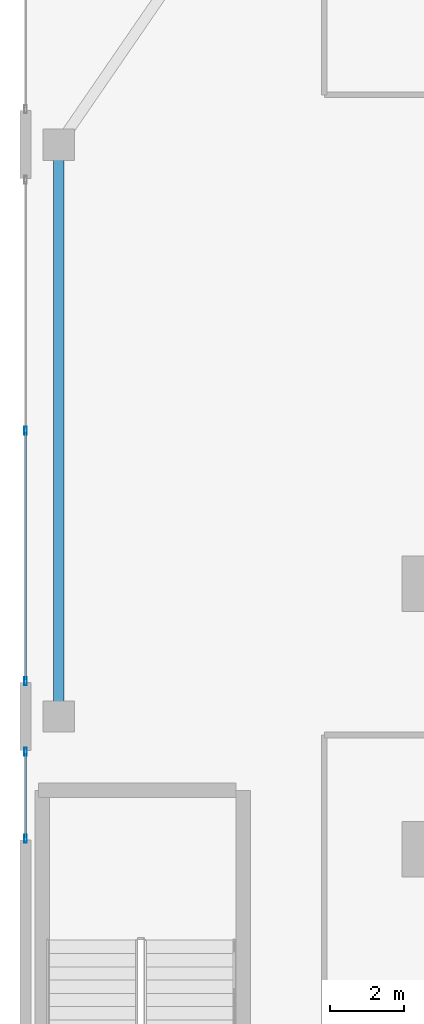
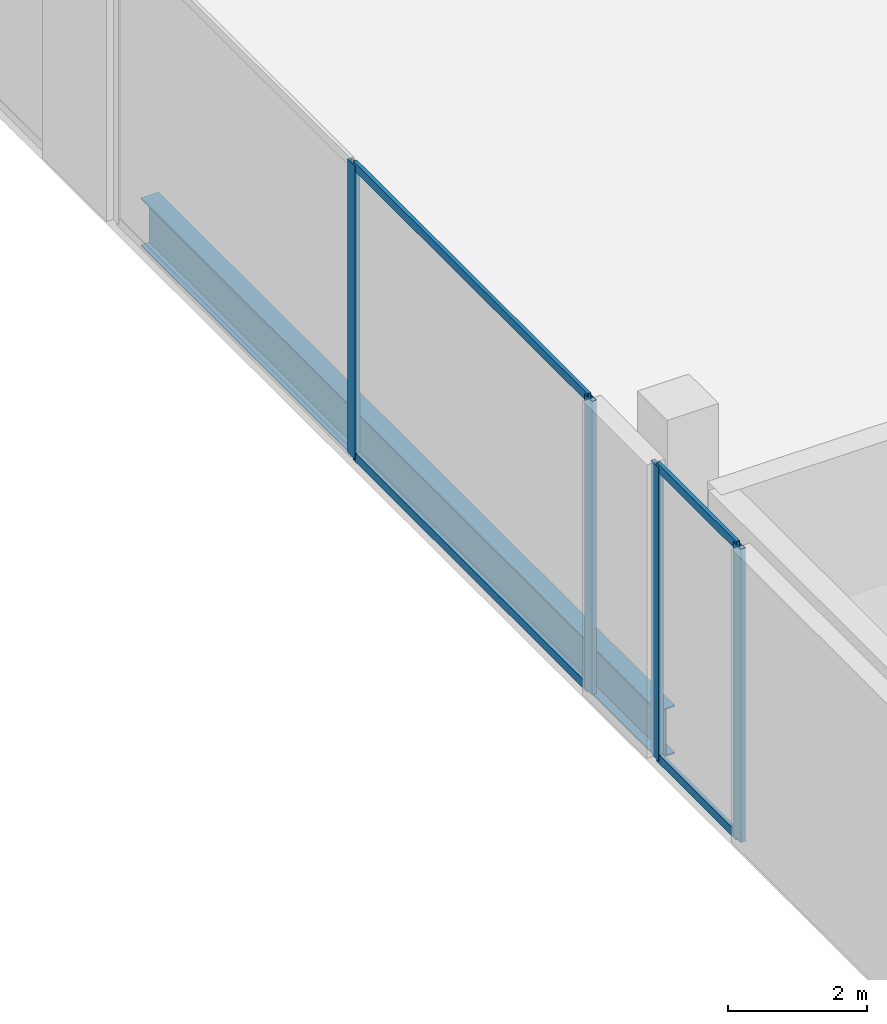
# One storey, part 6 of 30: 8 members, 1 beam, 2 elements without a shape of their own.
"""IFC4 building model written with IfcOpenShell, lengths in metres."""

import ifcopenshell
import ifcopenshell.guid

model = None  # the IFC model being written
_history = None  # IfcOwnerHistory: only IFC2X3 demands one
_inside = {}  # id of a spatial element -> (the spatial element, [elements in it])
_under = {}  # id of a project, library or spatial element -> (it, [spatial elements below it])
_declared = {}  # id of a project -> (the project, [libraries it declares])
_typed = {}  # id of a type object -> (the type object, [elements of that type])
_made_of = {}  # id of a material, layer set ... -> (it, [elements and type objects made of it])


def new_model(schema):
    """Start an empty IFC model of exactly this schema.

    Asked for "IFC4X3", IfcOpenShell would pick the latest addendum, in which some entities
    have other attributes; the version numbers below select the first issue.
    IFC2X3 requires an IfcOwnerHistory on every rooted entity: one is made here for all.
    """
    global model, _history
    if schema == "IFC4X3":
        model = ifcopenshell.file(schema_version=(4, 3, 0, 0))
    else:
        model = ifcopenshell.file(schema=schema)
    _inside.clear()
    _under.clear()
    _declared.clear()
    _typed.clear()
    _made_of.clear()
    _history = None
    if model.schema == "IFC2X3":
        org = make("IfcOrganization", Name="unknown")
        user = make(
            "IfcPersonAndOrganization",
            ThePerson=make("IfcPerson", FamilyName="unknown"),
            TheOrganization=org,
        )
        app = make(
            "IfcApplication",
            ApplicationDeveloper=org,
            Version="unknown",
            ApplicationFullName="unknown",
            ApplicationIdentifier="unknown",
        )
        _history = make(
            "IfcOwnerHistory",
            OwningUser=user,
            OwningApplication=app,
            ChangeAction="ADDED",
            CreationDate=0,
        )
    return model


def make(cls, **values):
    """One entity of the class cls with the attributes given. An attribute that is None is left unset."""
    return model.create_entity(
        cls, **{name: value for name, value in values.items() if value is not None}
    )


def rooted(cls, **values):
    """An entity with a GlobalId (a new one), such as an element, a storey or a relation."""
    return make(cls, GlobalId=ifcopenshell.guid.new(), OwnerHistory=_history, **values)


def si_unit(unit_type, name, prefix=None):
    """IfcSIUnit, for example si_unit("LENGTHUNIT", "METRE", prefix="MILLI")."""
    return make("IfcSIUnit", UnitType=unit_type, Prefix=prefix, Name=name)


def assignment(units):
    """IfcUnitAssignment: the units of a project."""
    return None if units is None else make("IfcUnitAssignment", Units=units)


def point(xyz):
    """IfcCartesianPoint."""
    return None if xyz is None else make("IfcCartesianPoint", Coordinates=xyz)


def direction(xyz):
    """IfcDirection."""
    return None if xyz is None else make("IfcDirection", DirectionRatios=xyz)


def frame(location, z_axis=None, x_axis=None):
    """IfcAxis2Placement3D, a coordinate frame: its origin and axes. An axis left out is left unset."""
    return make(
        "IfcAxis2Placement3D",
        Location=point(location),
        Axis=direction(z_axis),
        RefDirection=direction(x_axis),
    )


def frame_2d(location, x_axis=None):
    """IfcAxis2Placement2D, a coordinate frame in the plane: its origin and x axis."""
    return make(
        "IfcAxis2Placement2D", Location=point(location), RefDirection=direction(x_axis)
    )


def origin():
    """The frame at (0, 0, 0) with its axes left unset."""
    return frame((0.0, 0.0, 0.0))


def origin_2d():
    """The frame at (0, 0) in the plane with its x axis left unset."""
    return frame_2d((0.0, 0.0))


def place(relative_to, where):
    """IfcLocalPlacement: puts the frame where relative to a parent placement (None: the world)."""
    return make(
        "IfcLocalPlacement", PlacementRelTo=relative_to, RelativePlacement=where
    )


def context(
    kind, dimensions, precision=None, world=None, true_north=None, identifier=None
):
    """IfcGeometricRepresentationContext, for example the 3D "Model" context."""
    return make(
        "IfcGeometricRepresentationContext",
        ContextIdentifier=identifier,
        ContextType=kind,
        CoordinateSpaceDimension=dimensions,
        Precision=precision,
        WorldCoordinateSystem=world,
        TrueNorth=true_north,
    )


def subcontext(parent, identifier, kind, view, scale=None):
    """IfcGeometricRepresentationSubContext, for example "Body" below "Model"."""
    return make(
        "IfcGeometricRepresentationSubContext",
        ContextIdentifier=identifier,
        ContextType=kind,
        ParentContext=parent,
        TargetScale=scale,
        TargetView=view,
    )


def project(units=None, contexts=None):
    """IfcProject with its units and contexts."""
    return rooted(
        "IfcProject",
        Name="project",
        RepresentationContexts=contexts,
        UnitsInContext=assignment(units),
    )


def spatial(cls, under=None, at=None, **own):
    """A site, building, storey or space (cls), placed at a placement, below another one or the project."""
    s = rooted(cls, ObjectPlacement=at, **own)
    if under is not None:
        _under.setdefault(under.id(), (under, []))[1].append(s)
    return s


def profile(cls, at=None, kind="AREA", **sizes):
    """A parametric profile (cls). Its sizes go by their IFC names, for example OverallWidth=200.0."""
    return make(cls, ProfileType=kind, Position=at, **sizes)


def hollow_rectangle(**sizes):
    """IfcRectangleHollowProfileDef."""
    return profile("IfcRectangleHollowProfileDef", **sizes)


def i_section(**sizes):
    """IfcIShapeProfileDef."""
    return profile("IfcIShapeProfileDef", **sizes)


def extrude(swept, where, along, depth):
    """IfcExtrudedAreaSolid: the profile swept, set in the frame where, extruded along a direction by depth."""
    return make(
        "IfcExtrudedAreaSolid",
        SweptArea=swept,
        Position=where,
        ExtrudedDirection=direction(along),
        Depth=depth,
    )


def shape(context_of_items, identifier, shape_type, items):
    """IfcShapeRepresentation: the items that make up one representation, for example the "Body"."""
    return make(
        "IfcShapeRepresentation",
        ContextOfItems=context_of_items,
        RepresentationIdentifier=identifier,
        RepresentationType=shape_type,
        Items=items,
    )


def material(Name=None, Category=None):
    """IfcMaterial."""
    return make("IfcMaterial", Name=Name, Category=Category)


def layer(
    of_material, thickness, ventilated=None, Name=None, Category=None, Priority=None
):
    """IfcMaterialLayer: one layer of a wall or slab, of a material (None: an air gap)."""
    return make(
        "IfcMaterialLayer",
        Material=of_material,
        LayerThickness=thickness,
        IsVentilated=ventilated,
        Name=Name,
        Category=Category,
        Priority=Priority,
    )


def layer_set(layers, Name=None):
    """IfcMaterialLayerSet."""
    return make("IfcMaterialLayerSet", MaterialLayers=layers, LayerSetName=Name)


def material_profile(
    of_material, cross_section, Name=None, Category=None, Priority=None
):
    """IfcMaterialProfile: a cross section and its material."""
    return make(
        "IfcMaterialProfile",
        Name=Name,
        Material=of_material,
        Profile=cross_section,
        Priority=Priority,
        Category=Category,
    )


def profile_set(profiles, Name=None, composite=None):
    """IfcMaterialProfileSet."""
    return make(
        "IfcMaterialProfileSet",
        Name=Name,
        MaterialProfiles=profiles,
        CompositeProfile=composite,
    )


def made_of(thing, what):
    """Note that an element or type object is made of a material, layer set ...; save() writes the relation."""
    if what is not None:
        _made_of.setdefault(what.id(), (what, []))[1].append(thing)
    return thing


def type_object(cls, material=None, **own):
    """A type object (cls), such as IfcWallType, which elements share."""
    return made_of(rooted(cls, **own), material)


def element(
    cls,
    number,
    at=None,
    inside=None,
    cuts=None,
    type_object=None,
    material=None,
    context=None,
    identifier="Body",
    shape_type=None,
    held_by="IfcProductDefinitionShape",
    body=None,
    shapes=None,
    **own,
):
    """One element of the class cls, such as IfcWall. Its Tag is "e" and its number.

    at: its placement. inside: the storey or other place that contains it. cuts: it is an
    opening in that element (IfcRelVoidsElement). A single representation is given by context,
    identifier, shape_type and body (its items); several are given by shapes. held_by: the class
    of the entity that holds the representations. save() writes the other relations.
    """
    e = rooted(cls, Tag="e%d" % number, ObjectPlacement=at, **own)
    if body is not None:
        shapes = [shape(context, identifier, shape_type, body)]
    if shapes is not None:
        e.Representation = make(held_by, Representations=shapes)
    if inside is not None:
        _inside.setdefault(inside.id(), (inside, []))[1].append(e)
    if cuts is not None:
        rooted(
            "IfcRelVoidsElement", RelatingBuildingElement=cuts, RelatedOpeningElement=e
        )
    if type_object is not None:
        _typed.setdefault(type_object.id(), (type_object, []))[1].append(e)
    return made_of(e, material)


def aggregate(whole, parts):
    """IfcRelAggregates: a whole, such as a stair, and the parts it consists of."""
    return rooted("IfcRelAggregates", RelatingObject=whole, RelatedObjects=parts)


def save(model, path):
    """Write the relations noted so far, then the file.

    IfcRelAggregates (storeys below a building ...), IfcRelContainedInSpatialStructure (elements
    in a storey), IfcRelDefinesByType, IfcRelAssociatesMaterial and IfcRelDeclares: one each for
    every whole, place, type object, material and project.
    """
    for whole, parts in _under.values():
        aggregate(whole, parts)
    for where, things in _inside.values():
        rooted(
            "IfcRelContainedInSpatialStructure",
            RelatedElements=things,
            RelatingStructure=where,
        )
    for kind, things in _typed.values():
        rooted("IfcRelDefinesByType", RelatedObjects=things, RelatingType=kind)
    for what, things in _made_of.values():
        rooted("IfcRelAssociatesMaterial", RelatedObjects=things, RelatingMaterial=what)
    for by, libraries in _declared.values():
        rooted("IfcRelDeclares", RelatingContext=by, RelatedDefinitions=libraries)
    model.write(path)


model = new_model("IFC4")

# Units and contexts
model_context = context("Model", 3, precision=1e-05, world=origin(), true_north=direction((0.0, 1.0)))
body_context = subcontext(model_context, "Body", "Model", "MODEL_VIEW")
ifc_project = project(units=[si_unit("LENGTHUNIT", "METRE"), si_unit("AREAUNIT", "SQUARE_METRE"), si_unit("VOLUMEUNIT", "CUBIC_METRE"), si_unit("PLANEANGLEUNIT", "RADIAN"), si_unit("MASSUNIT", "GRAM", prefix="KILO")], contexts=[model_context])

# Site, building, storey
site_placement = place(None, origin())
site = spatial("IfcSite", under=ifc_project, at=site_placement, CompositionType="ELEMENT")
building_placement = place(site_placement, origin())
building = spatial("IfcBuilding", under=site, at=building_placement, Name="Zuhayl Quay Hotel", CompositionType="ELEMENT")
storey_placement = place(building_placement, frame((0.0, 0.0, 6.0)))
storey = spatial("IfcBuildingStorey", under=building, at=storey_placement, Name="L01", CompositionType="ELEMENT", Elevation=6.0)

# Beam
ifc_material_1 = material(Name="Steel ASTM A992 Grade 50", Category="steel")
ifc_material_profile_1 = material_profile(ifc_material_1, i_section(OverallWidth=0.2919921875, OverallDepth=0.845947265625, WebThickness=0.015380859375, FlangeThickness=0.0244140625, at=origin_2d()), Name="W33X141")
ifc_profile_set_1 = profile_set([ifc_material_profile_1], Name="Steel ASTM A992 Grade 50")
beam_type = type_object("IfcBeamType", Name="BM_PG3_W33X141", PredefinedType="BEAM", material=ifc_profile_set_1)
beam_placement = place(storey_placement, frame((-35.10009765625, 0.340087890625, -0.673095703125), z_axis=(0.0, 1.0, 0.0), x_axis=(-1.0, 0.0, 0.0)))
element("IfcBeam", 1, at=beam_placement, inside=storey, type_object=beam_type, Name="L01 Floor Beam PG_W_L01_2", PredefinedType="BEAM", context=body_context, shape_type="SweptSolid", body=[
    extrude(i_section(OverallWidth=0.2919921875, OverallDepth=0.845947265625, WebThickness=0.015380859375, FlangeThickness=0.0244140625, at=origin_2d()), origin(), (0.0, 0.0, 1.0), 14.81982421875),
])

# Curtain wall, members
ifc_material_2 = material(Name="Anodised Aluminium 6063-T6", Category="aluminium")
ifc_layer = layer(ifc_material_2, 0.199951171875, Name="Anodised Aluminium 6063-T6", Category="aluminium")
ifc_layer_set = layer_set([ifc_layer], Name="Anodised Aluminium 6063-T6")
curtain_wall_type = type_object("IfcCurtainWallType", Name="CW_SYS_POD", PredefinedType="USERDEFINED", material=ifc_layer_set)
curtain_wall_1_placement = place(storey_placement, origin())
curtain_wall_1 = element("IfcCurtainWall", 2, at=curtain_wall_1_placement, inside=storey, type_object=curtain_wall_type, Name="L01 Curtain Wall ENV_L01_E02_CW2", ObjectType="UNITISED CURTAIN WALL", PredefinedType="USERDEFINED")
ifc_material_3 = material(Name="Black-anodised aluminium 6063-T6", Category="aluminium")
ifc_material_profile_2 = material_profile(ifc_material_3, hollow_rectangle(XDim=0.074951171875, YDim=0.219970703125, WallThickness=0.00390625, at=origin_2d()), Name="ALU220X75")
ifc_profile_set_2 = profile_set([ifc_material_profile_2], Name="Black-anodised aluminium 6063-T6")
member_type_1 = type_object("IfcMemberType", Name="MB_CW_MUL_220", PredefinedType="MULLION", material=ifc_profile_set_2)
member_1_placement = place(storey_placement, frame((-36.0, -3.3125, 0.0), z_axis=(0.0, 0.0, 1.0), x_axis=(-1.0, 0.0, 0.0)))
member_1 = element("IfcMember", 3, at=member_1_placement, type_object=member_type_1, Name="CW-POD mullion 1", PredefinedType="MULLION", context=body_context, shape_type="SweptSolid", body=[
    extrude(hollow_rectangle(XDim=0.074951171875, YDim=0.219970703125, WallThickness=0.00390625, at=origin_2d()), origin(), (0.0, 0.0, 1.0), 5.139892578125),
])
member_2_placement = place(storey_placement, frame((-36.0, -0.95751953125, 0.0), z_axis=(0.0, 0.0, 1.0), x_axis=(-1.0, 0.0, 0.0)))
member_2 = element("IfcMember", 4, at=member_2_placement, type_object=member_type_1, Name="CW-POD mullion 2", PredefinedType="MULLION", context=body_context, shape_type="SweptSolid", body=[
    extrude(hollow_rectangle(XDim=0.074951171875, YDim=0.219970703125, WallThickness=0.00390625, at=origin_2d()), origin(), (0.0, 0.0, 1.0), 5.139892578125),
])

curtain_wall_2_placement = place(storey_placement, origin())
curtain_wall_2 = element("IfcCurtainWall", 5, at=curtain_wall_2_placement, inside=storey, type_object=curtain_wall_type, Name="L01 Curtain Wall ENV_L01_E02_CW3", ObjectType="UNITISED CURTAIN WALL", PredefinedType="USERDEFINED")
member_3_placement = place(storey_placement, frame((-36.0, 0.95751953125, 0.0), z_axis=(0.0, 0.0, 1.0), x_axis=(-1.0, 0.0, 0.0)))
member_3 = element("IfcMember", 6, at=member_3_placement, type_object=member_type_1, Name="CW-POD mullion 1", PredefinedType="MULLION", context=body_context, shape_type="SweptSolid", body=[
    extrude(hollow_rectangle(XDim=0.074951171875, YDim=0.219970703125, WallThickness=0.00390625, at=origin_2d()), origin(), (0.0, 0.0, 1.0), 5.139892578125),
])
member_4_placement = place(storey_placement, frame((-36.0, 7.75, 0.0), z_axis=(0.0, 0.0, 1.0), x_axis=(-1.0, 0.0, 0.0)))
member_4 = element("IfcMember", 7, at=member_4_placement, type_object=member_type_1, Name="CW-POD mullion 2", PredefinedType="MULLION", context=body_context, shape_type="SweptSolid", body=[
    extrude(hollow_rectangle(XDim=0.074951171875, YDim=0.219970703125, WallThickness=0.00390625, at=origin_2d()), origin(), (0.0, 0.0, 1.0), 5.139892578125),
])

# Member
ifc_material_profile_3 = material_profile(ifc_material_3, hollow_rectangle(XDim=0.06005859375, YDim=0.14990234375, WallThickness=0.00341796875, at=origin_2d()), Name="ALU150X60")
ifc_profile_set_3 = profile_set([ifc_material_profile_3], Name="Black-anodised aluminium 6063-T6")
member_type_2 = type_object("IfcMemberType", Name="MB_CW_TRN_150", PredefinedType="USERDEFINED", material=ifc_profile_set_3)
member_5_placement = place(storey_placement, frame((-36.0, -3.27490234375, 0.030029296875), z_axis=(0.0, 1.0, 0.0), x_axis=(-1.0, 0.0, 0.0)))
member_5 = element("IfcMember", 8, at=member_5_placement, type_object=member_type_2, Name="CW-POD transom 1.1", ObjectType="TRANSOM", PredefinedType="USERDEFINED", context=body_context, shape_type="SweptSolid", body=[
    extrude(hollow_rectangle(XDim=0.06005859375, YDim=0.14990234375, WallThickness=0.00341796875, at=origin_2d()), origin(), (0.0, 0.0, 1.0), 2.27978515625),
])

member_6_placement = place(storey_placement, frame((-36.0, -3.27490234375, 5.110107421875), z_axis=(0.0, 1.0, 0.0), x_axis=(-1.0, 0.0, 0.0)))
member_6 = element("IfcMember", 9, at=member_6_placement, type_object=member_type_2, Name="CW-POD transom 1.2", ObjectType="TRANSOM", PredefinedType="USERDEFINED", context=body_context, shape_type="SweptSolid", body=[
    extrude(hollow_rectangle(XDim=0.06005859375, YDim=0.14990234375, WallThickness=0.00341796875, at=origin_2d()), origin(), (0.0, 0.0, 1.0), 2.27978515625),
])

aggregate(curtain_wall_1, [member_1, member_2, member_5, member_6])

member_7_placement = place(storey_placement, frame((-36.0, 0.9951171875, 0.030029296875), z_axis=(0.0, 1.0, 0.0), x_axis=(-1.0, 0.0, 0.0)))
member_7 = element("IfcMember", 10, at=member_7_placement, type_object=member_type_2, Name="CW-POD transom 1.1", ObjectType="TRANSOM", PredefinedType="USERDEFINED", context=body_context, shape_type="SweptSolid", body=[
    extrude(hollow_rectangle(XDim=0.06005859375, YDim=0.14990234375, WallThickness=0.00341796875, at=origin_2d()), origin(), (0.0, 0.0, 1.0), 6.71728515625),
])

member_8_placement = place(storey_placement, frame((-36.0, 0.9951171875, 5.110107421875), z_axis=(0.0, 1.0, 0.0), x_axis=(-1.0, 0.0, 0.0)))
member_8 = element("IfcMember", 11, at=member_8_placement, type_object=member_type_2, Name="CW-POD transom 1.2", ObjectType="TRANSOM", PredefinedType="USERDEFINED", context=body_context, shape_type="SweptSolid", body=[
    extrude(hollow_rectangle(XDim=0.06005859375, YDim=0.14990234375, WallThickness=0.00341796875, at=origin_2d()), origin(), (0.0, 0.0, 1.0), 6.71728515625),
])

aggregate(curtain_wall_2, [member_3, member_4, member_7, member_8])

save(model, "model.ifc")
